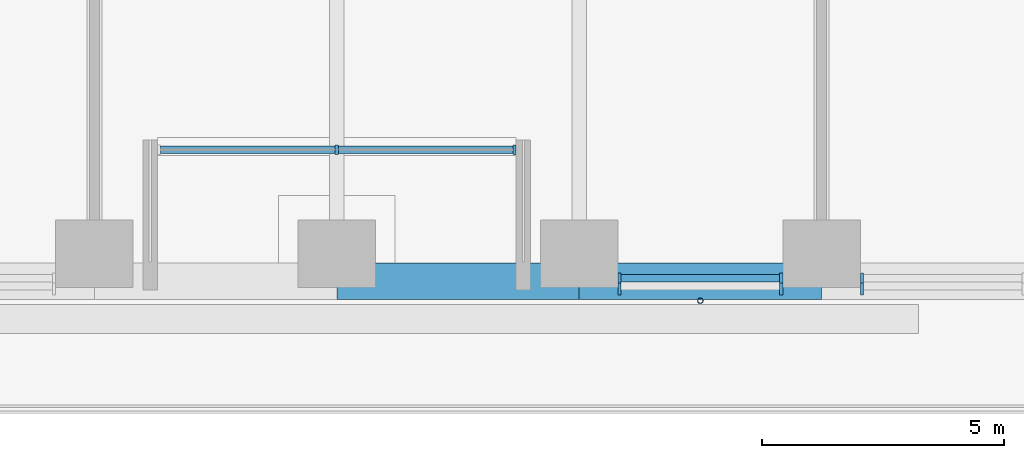
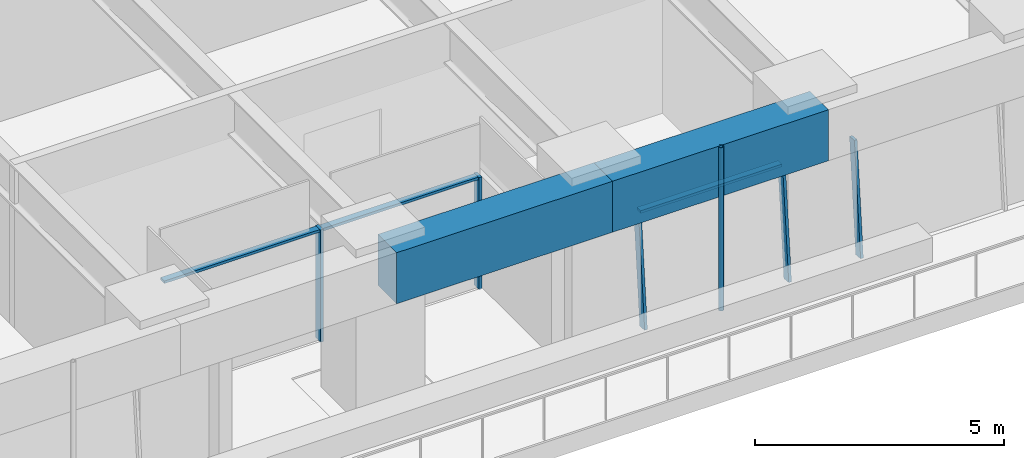
# One storey, part 4 of 24: 8 members, 2 beams, 3 elements without a shape of their own.
"""IFC4 building model written with IfcOpenShell, lengths in metres."""

from ifc_helpers import new_model, si_unit, direction, frame, origin, origin_2d, place, context, subcontext, project, spatial, rectangle, hollow_circle, extrude, material, material_profile, profile_set, type_object, element, aggregate, save


model = new_model("IFC4")

# Units and contexts
model_context = context("Model", 3, precision=1e-05, world=origin(), true_north=direction((0.0, 1.0)))
body_context = subcontext(model_context, "Body", "Model", "MODEL_VIEW")
ifc_project = project(units=[si_unit("LENGTHUNIT", "METRE"), si_unit("AREAUNIT", "SQUARE_METRE"), si_unit("VOLUMEUNIT", "CUBIC_METRE"), si_unit("PLANEANGLEUNIT", "RADIAN"), si_unit("MASSUNIT", "GRAM", prefix="KILO")], contexts=[model_context])

# Site, building, storey
site_placement = place(None, origin())
site = spatial("IfcSite", under=ifc_project, at=site_placement, CompositionType="ELEMENT")
building_placement = place(site_placement, origin())
building = spatial("IfcBuilding", under=site, at=building_placement, Name="Tarfa Lantern Tower", CompositionType="ELEMENT")
storey_placement = place(building_placement, frame((0.0, 0.0, 174.10009765625)))
storey = spatial("IfcBuildingStorey", under=building, at=storey_placement, Name="L39", CompositionType="ELEMENT", Elevation=174.10009765625)

# Curtain wall, members
ifc_material_1 = material(Name="Aluminium framed curtain wall", Category="aluminium")
curtain_wall_type_1 = type_object("IfcCurtainWallType", Name="CW2 CANTED GLAZING MID ZONE 2750", PredefinedType="USERDEFINED", material=ifc_material_1)
curtain_wall_1_placement = place(storey_placement, origin())
curtain_wall_1 = element("IfcCurtainWall", 1, at=curtain_wall_1_placement, inside=storey, type_object=curtain_wall_type_1, Name="CW2 SB L39", ObjectType="CURTAIN WALL", PredefinedType="USERDEFINED")
ifc_material_2 = material(Name="Aluminium mullion", Category="aluminium")
ifc_material_profile_1 = material_profile(ifc_material_2, rectangle(XDim=0.06494140625, YDim=0.199951171875, at=origin_2d()), Name="AL MULLION 65x200")
ifc_profile_set_1 = profile_set([ifc_material_profile_1], Name="Aluminium mullion")
member_type_1 = type_object("IfcMemberType", Name="CWM1 MULLION 65x200", PredefinedType="MULLION", material=ifc_profile_set_1)
member_1_placement = place(storey_placement, frame((5.836181640625, -31.39990234375, 0.0), z_axis=(0.0, 0.090535746043, 0.995893206468), x_axis=(-1.0, 0.0, 0.0)))
member_1 = element("IfcMember", 2, at=member_1_placement, type_object=member_type_1, Name="CW2 mullion 1", PredefinedType="MULLION", context=body_context, shape_type="SweptSolid", body=[
    extrude(rectangle(XDim=0.06494140625, YDim=0.199951171875, at=origin_2d()), origin(), (0.0, 0.0, 1.0), 2.76123046875),
])
member_2_placement = place(storey_placement, frame((9.1748046875, -31.39990234375, 0.0), z_axis=(0.0, 0.090535746043, 0.995893206468), x_axis=(-1.0, 0.0, 0.0)))
member_2 = element("IfcMember", 3, at=member_2_placement, type_object=member_type_1, Name="CW2 mullion 2", PredefinedType="MULLION", context=body_context, shape_type="SweptSolid", body=[
    extrude(rectangle(XDim=0.06494140625, YDim=0.199951171875, at=origin_2d()), origin(), (0.0, 0.0, 1.0), 2.76123046875),
])

# Curtain wall, member
curtain_wall_2_placement = place(storey_placement, origin())
curtain_wall_2 = element("IfcCurtainWall", 4, at=curtain_wall_2_placement, inside=storey, type_object=curtain_wall_type_1, Name="CW2 SB L39", ObjectType="CURTAIN WALL", PredefinedType="USERDEFINED")
member_3_placement = place(storey_placement, frame((10.83984375, -31.39990234375, 0.0), z_axis=(0.0, 0.090535746043, 0.995893206468), x_axis=(-1.0, 0.0, 0.0)))
member_3 = element("IfcMember", 5, at=member_3_placement, type_object=member_type_1, Name="CW2 mullion 1", PredefinedType="MULLION", context=body_context, shape_type="SweptSolid", body=[
    extrude(rectangle(XDim=0.06494140625, YDim=0.199951171875, at=origin_2d()), origin(), (0.0, 0.0, 1.0), 2.76123046875),
])
aggregate(curtain_wall_2, [member_3])

# Curtain wall, members
curtain_wall_type_2 = type_object("IfcCurtainWallType", Name="CW10 LOGGIA GLAZING 2750", PredefinedType="USERDEFINED", material=ifc_material_1)
curtain_wall_3_placement = place(storey_placement, origin())
curtain_wall_3 = element("IfcCurtainWall", 6, at=curtain_wall_3_placement, inside=storey, type_object=curtain_wall_type_2, Name="CW10 SL L39", ObjectType="CURTAIN WALL", PredefinedType="USERDEFINED")
member_4_placement = place(storey_placement, frame((0.0, -28.5, 0.0), z_axis=(0.0, 0.0, 1.0), x_axis=(1.0, 0.0, 0.0)))
member_4 = element("IfcMember", 7, at=member_4_placement, type_object=member_type_1, Name="CW10 mullion 2", PredefinedType="MULLION", context=body_context, shape_type="SweptSolid", body=[
    extrude(rectangle(XDim=0.06494140625, YDim=0.199951171875, at=origin_2d()), origin(), (0.0, 0.0, 1.0), 2.75),
])
member_5_placement = place(storey_placement, frame((3.671142578125, -28.5, 0.0), z_axis=(0.0, 0.0, 1.0), x_axis=(1.0, 0.0, 0.0)))
member_5 = element("IfcMember", 8, at=member_5_placement, type_object=member_type_1, Name="CW10 mullion 3", PredefinedType="MULLION", context=body_context, shape_type="SweptSolid", body=[
    extrude(rectangle(XDim=0.06494140625, YDim=0.199951171875, at=origin_2d()), origin(), (0.0, 0.0, 1.0), 2.75),
])

# Member
ifc_material_3 = material(Name="Aluminium transom", Category="aluminium")
ifc_material_profile_2 = material_profile(ifc_material_3, rectangle(XDim=0.14990234375, YDim=0.06494140625, at=origin_2d()), Name="AL TRANSOM 150x65")
ifc_profile_set_2 = profile_set([ifc_material_profile_2], Name="Aluminium transom")
member_type_2 = type_object("IfcMemberType", Name="CWT1 TRANSOM 150x65", PredefinedType="USERDEFINED", material=ifc_profile_set_2)
member_6_placement = place(storey_placement, frame((5.86865234375, -31.153076171875, 2.71728515625), z_axis=(1.0, 0.0, 0.0), x_axis=(0.0, 1.0, 0.0)))
member_6 = element("IfcMember", 9, at=member_6_placement, type_object=member_type_2, Name="CW2 transom 1.2", ObjectType="TRANSOM", PredefinedType="USERDEFINED", context=body_context, shape_type="SweptSolid", body=[
    extrude(rectangle(XDim=0.14990234375, YDim=0.06494140625, at=origin_2d()), origin(), (0.0, 0.0, 1.0), 3.273681640625),
])

aggregate(curtain_wall_1, [member_1, member_2, member_6])

member_7_placement = place(storey_placement, frame((-3.638671875, -28.5, 2.71728515625), z_axis=(1.0, 0.0, 0.0), x_axis=(0.0, 1.0, 0.0)))
member_7 = element("IfcMember", 10, at=member_7_placement, type_object=member_type_2, Name="CW10 transom 1.2", ObjectType="TRANSOM", PredefinedType="USERDEFINED", context=body_context, shape_type="SweptSolid", body=[
    extrude(rectangle(XDim=0.14990234375, YDim=0.06494140625, at=origin_2d()), origin(), (0.0, 0.0, 1.0), 7.27734375),
])

aggregate(curtain_wall_3, [member_4, member_5, member_7])

# Beams
ifc_material_4 = material(Name="Concrete C80/95", Category="concrete")
ifc_material_profile_3 = material_profile(ifc_material_4, rectangle(XDim=0.75, YDim=1.25, at=origin_2d()), Name="RC 750x1250")
ifc_profile_set_3 = profile_set([ifc_material_profile_3], Name="Concrete C80/95")
beam_type = type_object("IfcBeamType", Name="EB2 RC 750x1250", PredefinedType="SPANDREL", material=ifc_profile_set_3)
for number, where, z_axis, x_axis, name in (
    (11, (0.0, -31.219970703125, 3.375), (1.0, 0.0, 0.0), (0.0, 1.0, 0.0), "Edge beam S3"),
    (12, (5.003662109375, -31.219970703125, 3.375), (1.0, 0.0, 0.0), (0.0, 1.0, 0.0), "Edge beam S4"),
):
    element("IfcBeam", number, at=place(storey_placement, frame(where, z_axis=z_axis, x_axis=x_axis)), inside=storey, type_object=beam_type, Name=name, PredefinedType="SPANDREL", context=body_context, shape_type="SweptSolid", body=[
        extrude(rectangle(XDim=0.75, YDim=1.25, at=origin_2d()), origin(), (0.0, 0.0, 1.0), 5.003662109375),
    ])

# Member
ifc_material_5 = material(Name="Steel S355", Category="steel")
ifc_material_profile_4 = material_profile(ifc_material_5, hollow_circle(Radius=0.05712890625, WallThickness=0.00634765625, at=origin_2d()), Name="CHS114.3x6.3")
ifc_profile_set_4 = profile_set([ifc_material_profile_4], Name="Steel S355")
member_type_3 = type_object("IfcMemberType", Name="TR1 GREEN WALL TRELLIS CHS114.3x6.3", PredefinedType="USERDEFINED", material=ifc_profile_set_4)
member_8_placement = place(storey_placement, frame((7.505615234375, -31.6201171875, 0.0), z_axis=(0.0, 0.0, 1.0), x_axis=(1.0, 0.0, 0.0)))
element("IfcMember", 13, at=member_8_placement, inside=storey, type_object=member_type_3, Name="Trellis post S 2", ObjectType="TRELLIS", PredefinedType="USERDEFINED", context=body_context, shape_type="SweptSolid", body=[
    extrude(hollow_circle(Radius=0.05712890625, WallThickness=0.00634765625, at=origin_2d()), origin(), (0.0, 0.0, 1.0), 4.0),
])

save(model, "model.ifc")
